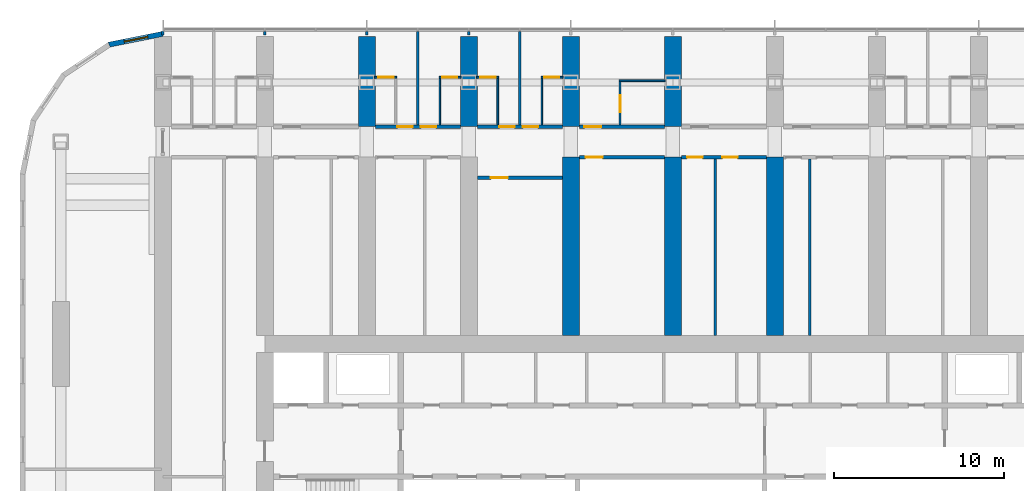
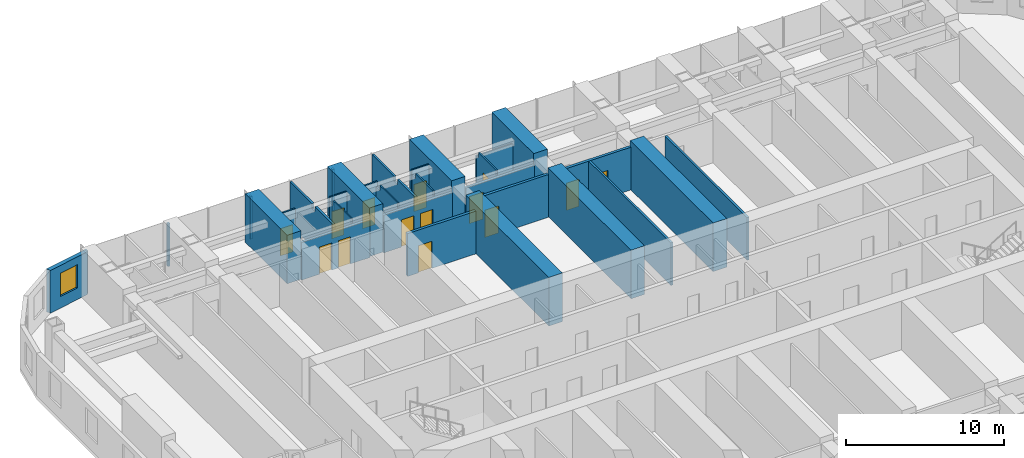
# One storey, part 15 of 23: 31 walls, 14 doors, 1 window, 15 openings.
"""IFC4 building model written with IfcOpenShell, lengths in metres."""

from ifc_helpers import new_model, si_unit, direction, frame, frame_2d, origin, place, context, subcontext, project, spatial, polyline, rectangle, outline, extrude, material, layer, layer_set, type_object, element, fill, save


model = new_model("IFC4")

# Units and contexts
model_context = context("Model", 3, precision=1e-05, world=origin(), true_north=direction((0.0, 1.0)))
body_context = subcontext(model_context, "Body", "Model", "MODEL_VIEW")
ifc_project = project(units=[si_unit("LENGTHUNIT", "METRE"), si_unit("AREAUNIT", "SQUARE_METRE"), si_unit("VOLUMEUNIT", "CUBIC_METRE"), si_unit("PLANEANGLEUNIT", "RADIAN"), si_unit("MASSUNIT", "GRAM", prefix="KILO")], contexts=[model_context])

# Site, building, storey
site_placement = place(None, origin())
site = spatial("IfcSite", under=ifc_project, at=site_placement, CompositionType="ELEMENT")
building_placement = place(site_placement, origin())
building = spatial("IfcBuilding", under=site, at=building_placement, Name="Orbita Commons", CompositionType="ELEMENT")
storey_placement = place(building_placement, frame((0.0, 0.0, 50.199951171875)))
storey = spatial("IfcBuildingStorey", under=building, at=storey_placement, Name="L12", CompositionType="ELEMENT", Elevation=50.199951171875)

# Wall, openings, doors
ifc_material_1 = material(Name="Concrete blockwork", Category="masonry")
ifc_layer_1 = layer(ifc_material_1, 0.199951171875)
ifc_layer_set_1 = layer_set([ifc_layer_1], Name="Concrete blockwork")
wall_type_1 = type_object("IfcWallType", Name="Corridor wall 200 blockwork", PredefinedType="SOLIDWALL", material=ifc_layer_set_1)
wall_1_placement = place(storey_placement, frame((24.5, 51.0, 0.0), z_axis=(0.0, 0.0, 1.0), x_axis=(1.0, 0.0, 0.0)))
wall_1 = element("IfcWall", 1, at=wall_1_placement, inside=storey, type_object=wall_type_1, Name="Corridor wall 200 blockwork L12", PredefinedType="SOLIDWALL", context=body_context, shape_type="SweptSolid", body=[
    extrude(outline(polyline([(0.0, 0.0), (5.0, 0.0), (5.0, 2.900146484375), (0.0, 2.900146484375), (0.0, 0.0)])), frame((0.0, 0.10009765625, 0.0), z_axis=(0.0, -1.0, 0.0), x_axis=(1.0, 0.0, 0.0)), (0.0, 0.0, 1.0), 0.199951171875),
])
opening_1_placement = place(wall_1_placement, frame((1.300048828125, 0.0, 0.0)))
opening_1 = element("IfcOpeningElement", 2, at=opening_1_placement, cuts=wall_1, Name="Opening D11", PredefinedType="OPENING", context=body_context, shape_type="SweptSolid", body=[
    extrude(rectangle(XDim=0.89990234375, YDim=2.10009765625, at=frame_2d((0.449951171875, 1.050048828125))), frame((0.0, 0.10986328125, 0.0), z_axis=(0.0, -1.0, 0.0), x_axis=(1.0, 0.0, 0.0)), (0.0, 0.0, 1.0), 0.219970703125),
])
opening_2_placement = place(wall_1_placement, frame((2.675048828125, 0.0, 0.0)))
opening_2 = element("IfcOpeningElement", 3, at=opening_2_placement, cuts=wall_1, Name="Opening D11", PredefinedType="OPENING", context=body_context, shape_type="SweptSolid", body=[
    extrude(rectangle(XDim=0.89990234375, YDim=2.10009765625, at=frame_2d((0.449951171875, 1.050048828125))), frame((0.0, 0.10986328125, 0.0), z_axis=(0.0, -1.0, 0.0), x_axis=(1.0, 0.0, 0.0)), (0.0, 0.0, 1.0), 0.219970703125),
])
ifc_material_2 = material(Name="Steel-faced fire door leaf", Category="steel")
door_type_1 = type_object("IfcDoorType", Name="Corridor door 20 min 900x2100", OperationType="SINGLE_SWING_LEFT", PredefinedType="DOOR", material=ifc_material_2)
door_1_placement = place(opening_1_placement, origin())
door_1 = element("IfcDoor", 4, at=door_1_placement, inside=storey, type_object=door_type_1, Name="House bedroom L12-N04 door", OperationType="SINGLE_SWING_LEFT", OverallHeight=2.10009765625, OverallWidth=0.89990234375, PredefinedType="DOOR", context=body_context, shape_type="SweptSolid", body=[
    extrude(rectangle(XDim=0.89990234375, YDim=2.10009765625, at=frame_2d((0.449951171875, 1.050048828125))), frame((0.0, 0.02490234375, 0.0), z_axis=(0.0, -1.0, 0.0), x_axis=(1.0, 0.0, 0.0)), (0.0, 0.0, 1.0), 0.050048828125),
])
fill(opening_1, door_1)
door_2_placement = place(opening_2_placement, origin())
door_2 = element("IfcDoor", 5, at=door_2_placement, inside=storey, type_object=door_type_1, Name="House bedroom L12-N05 door", OperationType="SINGLE_SWING_LEFT", OverallHeight=2.10009765625, OverallWidth=0.89990234375, PredefinedType="DOOR", context=body_context, shape_type="SweptSolid", body=[
    extrude(rectangle(XDim=0.89990234375, YDim=2.10009765625, at=frame_2d((0.449951171875, 1.050048828125))), frame((0.0, 0.02490234375, 0.0), z_axis=(0.0, -1.0, 0.0), x_axis=(1.0, 0.0, 0.0)), (0.0, 0.0, 1.0), 0.050048828125),
])
fill(opening_2, door_2)

wall_2_placement = place(storey_placement, frame((30.5, 51.0, 0.0), z_axis=(0.0, 0.0, 1.0), x_axis=(1.0, 0.0, 0.0)))
wall_2 = element("IfcWall", 6, at=wall_2_placement, inside=storey, type_object=wall_type_1, Name="Corridor wall 200 blockwork L12", PredefinedType="SOLIDWALL", context=body_context, shape_type="SweptSolid", body=[
    extrude(outline(polyline([(0.0, 0.0), (5.0, 0.0), (5.0, 2.900146484375), (0.0, 2.900146484375), (0.0, 0.0)])), frame((0.0, 0.10009765625, 0.0), z_axis=(0.0, -1.0, 0.0), x_axis=(1.0, 0.0, 0.0)), (0.0, 0.0, 1.0), 0.199951171875),
])
opening_3_placement = place(wall_2_placement, frame((1.300048828125, 0.0, 0.0)))
opening_3 = element("IfcOpeningElement", 7, at=opening_3_placement, cuts=wall_2, Name="Opening D11", PredefinedType="OPENING", context=body_context, shape_type="SweptSolid", body=[
    extrude(rectangle(XDim=0.89990234375, YDim=2.10009765625, at=frame_2d((0.449951171875, 1.050048828125))), frame((0.0, 0.10986328125, 0.0), z_axis=(0.0, -1.0, 0.0), x_axis=(1.0, 0.0, 0.0)), (0.0, 0.0, 1.0), 0.219970703125),
])
opening_4_placement = place(wall_2_placement, frame((2.675048828125, 0.0, 0.0)))
opening_4 = element("IfcOpeningElement", 8, at=opening_4_placement, cuts=wall_2, Name="Opening D11", PredefinedType="OPENING", context=body_context, shape_type="SweptSolid", body=[
    extrude(rectangle(XDim=0.89990234375, YDim=2.10009765625, at=frame_2d((0.449951171875, 1.050048828125))), frame((0.0, 0.10986328125, 0.0), z_axis=(0.0, -1.0, 0.0), x_axis=(1.0, 0.0, 0.0)), (0.0, 0.0, 1.0), 0.219970703125),
])
door_3_placement = place(opening_3_placement, origin())
door_3 = element("IfcDoor", 9, at=door_3_placement, inside=storey, type_object=door_type_1, Name="House bedroom L12-N06 door", OperationType="SINGLE_SWING_LEFT", OverallHeight=2.10009765625, OverallWidth=0.89990234375, PredefinedType="DOOR", context=body_context, shape_type="SweptSolid", body=[
    extrude(rectangle(XDim=0.89990234375, YDim=2.10009765625, at=frame_2d((0.449951171875, 1.050048828125))), frame((0.0, 0.02490234375, 0.0), z_axis=(0.0, -1.0, 0.0), x_axis=(1.0, 0.0, 0.0)), (0.0, 0.0, 1.0), 0.050048828125),
])
fill(opening_3, door_3)
door_4_placement = place(opening_4_placement, origin())
door_4 = element("IfcDoor", 10, at=door_4_placement, inside=storey, type_object=door_type_1, Name="House bedroom L12-N07 door", OperationType="SINGLE_SWING_LEFT", OverallHeight=2.10009765625, OverallWidth=0.89990234375, PredefinedType="DOOR", context=body_context, shape_type="SweptSolid", body=[
    extrude(rectangle(XDim=0.89990234375, YDim=2.10009765625, at=frame_2d((0.449951171875, 1.050048828125))), frame((0.0, 0.02490234375, 0.0), z_axis=(0.0, -1.0, 0.0), x_axis=(1.0, 0.0, 0.0)), (0.0, 0.0, 1.0), 0.050048828125),
])
fill(opening_4, door_4)

# Wall, opening, door
wall_3_placement = place(storey_placement, frame((36.5, 51.0, 0.0), z_axis=(0.0, 0.0, 1.0), x_axis=(1.0, 0.0, 0.0)))
wall_3 = element("IfcWall", 11, at=wall_3_placement, inside=storey, type_object=wall_type_1, Name="Corridor wall 200 blockwork L12", PredefinedType="SOLIDWALL", context=body_context, shape_type="SweptSolid", body=[
    extrude(outline(polyline([(0.0, 0.0), (5.0, 0.0), (5.0, 2.900146484375), (0.0, 2.900146484375), (0.0, 0.0)])), frame((0.0, 0.10009765625, 0.0), z_axis=(0.0, -1.0, 0.0), x_axis=(1.0, 0.0, 0.0)), (0.0, 0.0, 1.0), 0.199951171875),
])
opening_5_placement = place(wall_3_placement, frame((0.300048828125, 0.0, 0.0)))
opening_5 = element("IfcOpeningElement", 12, at=opening_5_placement, cuts=wall_3, Name="Opening D06", PredefinedType="OPENING", context=body_context, shape_type="SweptSolid", body=[
    extrude(rectangle(XDim=1.0, YDim=2.10009765625, at=frame_2d((0.5, 1.050048828125))), frame((0.0, 0.10986328125, 0.0), z_axis=(0.0, -1.0, 0.0), x_axis=(1.0, 0.0, 0.0)), (0.0, 0.0, 1.0), 0.219970703125),
])
ifc_material_3 = material(Name="Steel-faced fire door leaf", Category="steel")
door_type_2 = type_object("IfcDoorType", Name="Corridor door 20 min 1000x2100", OperationType="SINGLE_SWING_LEFT", PredefinedType="DOOR", material=ifc_material_3)
door_5_placement = place(opening_5_placement, origin())
door_5 = element("IfcDoor", 13, at=door_5_placement, inside=storey, type_object=door_type_2, Name="Accessible bedroom L12-N08 door", OperationType="SINGLE_SWING_LEFT", OverallHeight=2.10009765625, OverallWidth=1.0, PredefinedType="DOOR", context=body_context, shape_type="SweptSolid", body=[
    extrude(rectangle(XDim=1.0, YDim=2.10009765625, at=frame_2d((0.5, 1.050048828125))), frame((0.0, 0.02490234375, 0.0), z_axis=(0.0, -1.0, 0.0), x_axis=(1.0, 0.0, 0.0)), (0.0, 0.0, 1.0), 0.050048828125),
])
fill(opening_5, door_5)

ifc_material_4 = material(Name="Hollow concrete block 200", Category="concrete")
ifc_layer_2 = layer(ifc_material_4, 0.199951171875)
ifc_layer_set_2 = layer_set([ifc_layer_2], Name="Hollow concrete block 200")
wall_type_2 = type_object("IfcWallType", Name="Corridor wall 200 hollow concrete block", PredefinedType="SOLIDWALL", material=ifc_layer_set_2)
wall_4_placement = place(storey_placement, frame((36.5, 49.199951171875, 0.0), z_axis=(0.0, 0.0, 1.0), x_axis=(1.0, 0.0, 0.0)))
wall_4 = element("IfcWall", 14, at=wall_4_placement, inside=storey, type_object=wall_type_2, Name="Corridor wall 200 hollow concrete block L12", PredefinedType="SOLIDWALL", context=body_context, shape_type="SweptSolid", body=[
    extrude(rectangle(XDim=5.0, YDim=0.199951171875, at=frame_2d((2.5, 0.0))), origin(), (0.0, 0.0, 1.0), 3.300048828125),
])
opening_6_placement = place(wall_4_placement, frame((0.375, 0.0, 0.0)))
opening_6 = element("IfcOpeningElement", 15, at=opening_6_placement, cuts=wall_4, Name="Opening D06", PredefinedType="OPENING", context=body_context, shape_type="SweptSolid", body=[
    extrude(rectangle(XDim=1.0, YDim=2.10009765625, at=frame_2d((0.5, 1.050048828125))), frame((0.0, 0.10986328125, 0.0), z_axis=(0.0, -1.0, 0.0), x_axis=(1.0, 0.0, 0.0)), (0.0, 0.0, 1.0), 0.219970703125),
])
door_6_placement = place(opening_6_placement, origin())
door_6 = element("IfcDoor", 16, at=door_6_placement, inside=storey, type_object=door_type_2, Name="Store L12-BDN36 door", OperationType="SINGLE_SWING_LEFT", OverallHeight=2.10009765625, OverallWidth=1.0, PredefinedType="DOOR", context=body_context, shape_type="SweptSolid", body=[
    extrude(rectangle(XDim=1.0, YDim=2.10009765625, at=frame_2d((0.5, 1.050048828125))), frame((0.0, 0.02490234375, 0.0), z_axis=(0.0, -1.0, 0.0), x_axis=(1.0, 0.0, 0.0)), (0.0, 0.0, 1.0), 0.050048828125),
])
fill(opening_6, door_6)

# Wall, openings, doors
wall_5_placement = place(storey_placement, frame((42.5, 49.199951171875, 0.0), z_axis=(0.0, 0.0, 1.0), x_axis=(1.0, 0.0, 0.0)))
wall_5 = element("IfcWall", 17, at=wall_5_placement, inside=storey, type_object=wall_type_2, Name="Corridor wall 200 hollow concrete block L12", PredefinedType="SOLIDWALL", context=body_context, shape_type="SweptSolid", body=[
    extrude(rectangle(XDim=5.0, YDim=0.199951171875, at=frame_2d((2.5, 0.0))), origin(), (0.0, 0.0, 1.0), 3.300048828125),
])
opening_7_placement = place(wall_5_placement, frame((0.35009765625, 0.0, 0.0)))
opening_7 = element("IfcOpeningElement", 18, at=opening_7_placement, cuts=wall_5, Name="Opening D11", PredefinedType="OPENING", context=body_context, shape_type="SweptSolid", body=[
    extrude(rectangle(XDim=0.89990234375, YDim=2.10009765625, at=frame_2d((0.449951171875, 1.050048828125))), frame((0.0, 0.10986328125, 0.0), z_axis=(0.0, -1.0, 0.0), x_axis=(1.0, 0.0, 0.0)), (0.0, 0.0, 1.0), 0.219970703125),
])
opening_8_placement = place(wall_5_placement, frame((2.4150390625, 0.0, 0.0)))
opening_8 = element("IfcOpeningElement", 19, at=opening_8_placement, cuts=wall_5, Name="Opening D11", PredefinedType="OPENING", context=body_context, shape_type="SweptSolid", body=[
    extrude(rectangle(XDim=0.89990234375, YDim=2.10009765625, at=frame_2d((0.449951171875, 1.050048828125))), frame((0.0, 0.10986328125, 0.0), z_axis=(0.0, -1.0, 0.0), x_axis=(1.0, 0.0, 0.0)), (0.0, 0.0, 1.0), 0.219970703125),
])
door_7_placement = place(opening_7_placement, origin())
door_7 = element("IfcDoor", 20, at=door_7_placement, inside=storey, type_object=door_type_1, Name="Sprinkler valve room L12-BDN42n door", OperationType="SINGLE_SWING_LEFT", OverallHeight=2.10009765625, OverallWidth=0.89990234375, PredefinedType="DOOR", context=body_context, shape_type="SweptSolid", body=[
    extrude(rectangle(XDim=0.89990234375, YDim=2.10009765625, at=frame_2d((0.449951171875, 1.050048828125))), frame((0.0, 0.02490234375, 0.0), z_axis=(0.0, -1.0, 0.0), x_axis=(1.0, 0.0, 0.0)), (0.0, 0.0, 1.0), 0.050048828125),
])
fill(opening_7, door_7)
door_8_placement = place(opening_8_placement, origin())
door_8 = element("IfcDoor", 21, at=door_8_placement, inside=storey, type_object=door_type_1, Name="Refuse and recycling room L12-BDN42 door", OperationType="SINGLE_SWING_LEFT", OverallHeight=2.10009765625, OverallWidth=0.89990234375, PredefinedType="DOOR", context=body_context, shape_type="SweptSolid", body=[
    extrude(rectangle(XDim=0.89990234375, YDim=2.10009765625, at=frame_2d((0.449951171875, 1.050048828125))), frame((0.0, 0.02490234375, 0.0), z_axis=(0.0, -1.0, 0.0), x_axis=(1.0, 0.0, 0.0)), (0.0, 0.0, 1.0), 0.050048828125),
])
fill(opening_8, door_8)

# Wall, opening, door
wall_6_placement = place(storey_placement, frame((30.5, 48.0, 0.0), z_axis=(0.0, 0.0, 1.0), x_axis=(1.0, 0.0, 0.0)))
wall_6 = element("IfcWall", 22, at=wall_6_placement, inside=storey, type_object=wall_type_2, Name="Corridor wall 200 hollow concrete block L12", PredefinedType="SOLIDWALL", context=body_context, shape_type="SweptSolid", body=[
    extrude(rectangle(XDim=5.0, YDim=0.199951171875, at=frame_2d((2.5, 0.0))), origin(), (0.0, 0.0, 1.0), 3.300048828125),
])
opening_9_placement = place(wall_6_placement, frame((0.800048828125, 0.0, 0.0)))
opening_9 = element("IfcOpeningElement", 23, at=opening_9_placement, cuts=wall_6, Name="Opening D06", PredefinedType="OPENING", context=body_context, shape_type="SweptSolid", body=[
    extrude(rectangle(XDim=1.0, YDim=2.10009765625, at=frame_2d((0.5, 1.050048828125))), frame((0.0, 0.10986328125, 0.0), z_axis=(0.0, -1.0, 0.0), x_axis=(1.0, 0.0, 0.0)), (0.0, 0.0, 1.0), 0.219970703125),
])
door_9_placement = place(opening_9_placement, origin())
door_9 = element("IfcDoor", 24, at=door_9_placement, inside=storey, type_object=door_type_2, Name="Bulk and luggage store L12-BDN30 door", OperationType="SINGLE_SWING_LEFT", OverallHeight=2.10009765625, OverallWidth=1.0, PredefinedType="DOOR", context=body_context, shape_type="SweptSolid", body=[
    extrude(rectangle(XDim=1.0, YDim=2.10009765625, at=frame_2d((0.5, 1.050048828125))), frame((0.0, 0.02490234375, 0.0), z_axis=(0.0, -1.0, 0.0), x_axis=(1.0, 0.0, 0.0)), (0.0, 0.0, 1.0), 0.050048828125),
])
fill(opening_9, door_9)

# Walls
ifc_material_5 = material(Name="Concrete C50/60", Category="concrete")
ifc_layer_3 = layer(ifc_material_5, 1.0)
ifc_layer_set_3 = layer_set([ifc_layer_3], Name="Concrete C50/60")
wall_type_3 = type_object("IfcWallType", Name="Cross wall 1000 C50/60", PredefinedType="SHEAR", material=ifc_layer_set_3)
for number, where, z_axis, x_axis, name in (
    (25, (24.0, 51.0, 0.0), (0.0, 0.0, 1.0), (0.0, 1.0, 0.0), "Cross wall 5 north outer L12"),
    (26, (30.0, 51.0, 0.0), (0.0, 0.0, 1.0), (0.0, 1.0, 0.0), "Cross wall 6 north outer L12"),
    (27, (36.0, 51.0, 0.0), (0.0, 0.0, 1.0), (0.0, 1.0, 0.0), "Cross wall 7 north outer L12"),
):
    element("IfcWall", number, at=place(storey_placement, frame(where, z_axis=z_axis, x_axis=x_axis)), inside=storey, type_object=wall_type_3, Name=name, PredefinedType="SHEAR", context=body_context, shape_type="SweptSolid", body=[
        extrude(rectangle(XDim=5.300048828125, YDim=1.0, at=frame_2d((2.64990234375, 0.0))), origin(), (0.0, 0.0, 1.0), 3.75),
    ])
wall_7_placement = place(storey_placement, frame((36.0, 38.699951171875, 0.0), z_axis=(0.0, 0.0, 1.0), x_axis=(0.0, 1.0, 0.0)))
element("IfcWall", 28, at=wall_7_placement, inside=storey, type_object=wall_type_3, Name="Cross wall 7 north inner L12", PredefinedType="SHEAR", context=body_context, shape_type="SweptSolid", body=[
    extrude(rectangle(XDim=10.5, YDim=1.0, at=frame_2d((5.25, 0.0))), origin(), (0.0, 0.0, 1.0), 3.75),
])
wall_8_placement = place(storey_placement, frame((42.0, 51.0, 0.0), z_axis=(0.0, 0.0, 1.0), x_axis=(0.0, 1.0, 0.0)))
element("IfcWall", 29, at=wall_8_placement, inside=storey, type_object=wall_type_3, Name="Cross wall 8 north outer L12", PredefinedType="SHEAR", context=body_context, shape_type="SweptSolid", body=[
    extrude(rectangle(XDim=5.300048828125, YDim=1.0, at=frame_2d((2.64990234375, 0.0))), origin(), (0.0, 0.0, 1.0), 3.75),
])
for number, where, z_axis, x_axis, name in (
    (30, (42.0, 38.699951171875, 0.0), (0.0, 0.0, 1.0), (0.0, 1.0, 0.0), "Cross wall 8 north inner L12"),
    (31, (48.0, 38.699951171875, 0.0), (0.0, 0.0, 1.0), (0.0, 1.0, 0.0), "Cross wall 9 north inner L12"),
):
    element("IfcWall", number, at=place(storey_placement, frame(where, z_axis=z_axis, x_axis=x_axis)), inside=storey, type_object=wall_type_3, Name=name, PredefinedType="SHEAR", context=body_context, shape_type="SweptSolid", body=[
        extrude(rectangle(XDim=10.5, YDim=1.0, at=frame_2d((5.25, 0.0))), origin(), (0.0, 0.0, 1.0), 3.75),
    ])

# Wall, opening, door
ifc_material_6 = material(Name="Moisture-resistant plasterboard on steel studs", Category="steel")
ifc_layer_4 = layer(ifc_material_6, 0.10009765625)
ifc_layer_set_4 = layer_set([ifc_layer_4], Name="Moisture-resistant plasterboard on steel studs")
wall_type_4 = type_object("IfcWallType", Name="En-suite partition 100", PredefinedType="PARTITIONING", material=ifc_layer_set_4)
wall_9_placement = place(storey_placement, frame((24.449951171875, 53.89990234375, 0.0), z_axis=(0.0, 0.0, 1.0), x_axis=(1.0, 0.0, 0.0)))
wall_9 = element("IfcWall", 32, at=wall_9_placement, inside=storey, type_object=wall_type_4, Name="En-suite partition 100 L12", PredefinedType="PARTITIONING", context=body_context, shape_type="SweptSolid", body=[
    extrude(rectangle(XDim=1.300048828125, YDim=0.10009765625, at=frame_2d((0.64990234375, 0.0))), origin(), (0.0, 0.0, 1.0), 3.300048828125),
])
opening_10_placement = place(wall_9_placement, frame((0.22509765625, 0.0, 0.0)))
opening_10 = element("IfcOpeningElement", 33, at=opening_10_placement, cuts=wall_9, Name="Opening D09", PredefinedType="OPENING", context=body_context, shape_type="SweptSolid", body=[
    extrude(rectangle(XDim=0.89990234375, YDim=2.10009765625, at=frame_2d((0.449951171875, 1.050048828125))), frame((0.0, 0.06005859375, 0.0), z_axis=(0.0, -1.0, 0.0), x_axis=(1.0, 0.0, 0.0)), (0.0, 0.0, 1.0), 0.1201171875),
])
ifc_material_7 = material(Name="Laminated timber door leaf", Category="wood")
door_type_3 = type_object("IfcDoorType", Name="En-suite door 900x2100", OperationType="SINGLE_SWING_RIGHT", PredefinedType="DOOR", material=ifc_material_7)
door_10_placement = place(opening_10_placement, origin())
door_10 = element("IfcDoor", 34, at=door_10_placement, inside=storey, type_object=door_type_3, Name="En-suite L12-N04 door", OperationType="SINGLE_SWING_RIGHT", OverallHeight=2.10009765625, OverallWidth=0.89990234375, PredefinedType="DOOR", context=body_context, shape_type="SweptSolid", body=[
    extrude(rectangle(XDim=0.89990234375, YDim=2.10009765625, at=frame_2d((0.449951171875, 1.050048828125))), frame((0.0, 0.02490234375, 0.0), z_axis=(0.0, -1.0, 0.0), x_axis=(1.0, 0.0, 0.0)), (0.0, 0.0, 1.0), 0.050048828125),
])
fill(opening_10, door_10)

wall_10_placement = place(storey_placement, frame((28.25, 53.89990234375, 0.0), z_axis=(0.0, 0.0, 1.0), x_axis=(1.0, 0.0, 0.0)))
wall_10 = element("IfcWall", 35, at=wall_10_placement, inside=storey, type_object=wall_type_4, Name="En-suite partition 100 L12", PredefinedType="PARTITIONING", context=body_context, shape_type="SweptSolid", body=[
    extrude(rectangle(XDim=1.300048828125, YDim=0.10009765625, at=frame_2d((0.64990234375, 0.0))), origin(), (0.0, 0.0, 1.0), 3.300048828125),
])
opening_11_placement = place(wall_10_placement, frame((0.175048828125, 0.0, 0.0)))
opening_11 = element("IfcOpeningElement", 36, at=opening_11_placement, cuts=wall_10, Name="Opening D09", PredefinedType="OPENING", context=body_context, shape_type="SweptSolid", body=[
    extrude(rectangle(XDim=0.89990234375, YDim=2.10009765625, at=frame_2d((0.449951171875, 1.050048828125))), frame((0.0, 0.06005859375, 0.0), z_axis=(0.0, -1.0, 0.0), x_axis=(1.0, 0.0, 0.0)), (0.0, 0.0, 1.0), 0.1201171875),
])
door_11_placement = place(opening_11_placement, origin())
door_11 = element("IfcDoor", 37, at=door_11_placement, inside=storey, type_object=door_type_3, Name="En-suite L12-N05 door", OperationType="SINGLE_SWING_RIGHT", OverallHeight=2.10009765625, OverallWidth=0.89990234375, PredefinedType="DOOR", context=body_context, shape_type="SweptSolid", body=[
    extrude(rectangle(XDim=0.89990234375, YDim=2.10009765625, at=frame_2d((0.449951171875, 1.050048828125))), frame((0.0, 0.02490234375, 0.0), z_axis=(0.0, -1.0, 0.0), x_axis=(1.0, 0.0, 0.0)), (0.0, 0.0, 1.0), 0.050048828125),
])
fill(opening_11, door_11)

# Wall
wall_11_placement = place(storey_placement, frame((28.300048828125, 53.85009765625, 0.0), z_axis=(0.0, 0.0, 1.0), x_axis=(0.0, -1.0, 0.0)))
element("IfcWall", 38, at=wall_11_placement, inside=storey, type_object=wall_type_4, Name="En-suite partition 100 L12", PredefinedType="PARTITIONING", context=body_context, shape_type="SweptSolid", body=[
    extrude(outline(polyline([(0.0, 0.0), (2.75, 0.0), (2.75, 2.900146484375), (2.701904296875, 2.900146484375), (2.699951171875, 3.300048828125), (0.451904296875, 3.300048828125), (0.449951171875, 2.900146484375), (0.0, 2.900146484375), (0.0, 0.0)])), frame((0.0, 0.050048828125, 0.0), z_axis=(0.0, -1.0, 0.0), x_axis=(1.0, 0.0, 0.0)), (0.0, 0.0, 1.0), 0.10009765625),
])

# Wall, opening, door
wall_12_placement = place(storey_placement, frame((30.449951171875, 53.89990234375, 0.0), z_axis=(0.0, 0.0, 1.0), x_axis=(1.0, 0.0, 0.0)))
wall_12 = element("IfcWall", 39, at=wall_12_placement, inside=storey, type_object=wall_type_4, Name="En-suite partition 100 L12", PredefinedType="PARTITIONING", context=body_context, shape_type="SweptSolid", body=[
    extrude(rectangle(XDim=1.300048828125, YDim=0.10009765625, at=frame_2d((0.64990234375, 0.0))), origin(), (0.0, 0.0, 1.0), 3.300048828125),
])
opening_12_placement = place(wall_12_placement, frame((0.22509765625, 0.0, 0.0)))
opening_12 = element("IfcOpeningElement", 40, at=opening_12_placement, cuts=wall_12, Name="Opening D09", PredefinedType="OPENING", context=body_context, shape_type="SweptSolid", body=[
    extrude(rectangle(XDim=0.89990234375, YDim=2.10009765625, at=frame_2d((0.449951171875, 1.050048828125))), frame((0.0, 0.06005859375, 0.0), z_axis=(0.0, -1.0, 0.0), x_axis=(1.0, 0.0, 0.0)), (0.0, 0.0, 1.0), 0.1201171875),
])
door_12_placement = place(opening_12_placement, origin())
door_12 = element("IfcDoor", 41, at=door_12_placement, inside=storey, type_object=door_type_3, Name="En-suite L12-N06 door", OperationType="SINGLE_SWING_RIGHT", OverallHeight=2.10009765625, OverallWidth=0.89990234375, PredefinedType="DOOR", context=body_context, shape_type="SweptSolid", body=[
    extrude(rectangle(XDim=0.89990234375, YDim=2.10009765625, at=frame_2d((0.449951171875, 1.050048828125))), frame((0.0, 0.02490234375, 0.0), z_axis=(0.0, -1.0, 0.0), x_axis=(1.0, 0.0, 0.0)), (0.0, 0.0, 1.0), 0.050048828125),
])
fill(opening_12, door_12)

# Wall
wall_13_placement = place(storey_placement, frame((31.699951171875, 53.85009765625, 0.0), z_axis=(0.0, 0.0, 1.0), x_axis=(0.0, -1.0, 0.0)))
element("IfcWall", 42, at=wall_13_placement, inside=storey, type_object=wall_type_4, Name="En-suite partition 100 L12", PredefinedType="PARTITIONING", context=body_context, shape_type="SweptSolid", body=[
    extrude(outline(polyline([(0.0, 0.0), (2.75, 0.0), (2.75, 2.900146484375), (2.701904296875, 2.900146484375), (2.699951171875, 3.300048828125), (0.451904296875, 3.300048828125), (0.449951171875, 2.900146484375), (0.0, 2.900146484375), (0.0, 0.0)])), frame((0.0, 0.050048828125, 0.0), z_axis=(0.0, -1.0, 0.0), x_axis=(1.0, 0.0, 0.0)), (0.0, 0.0, 1.0), 0.10009765625),
])

# Wall, opening, door
wall_14_placement = place(storey_placement, frame((34.25, 53.89990234375, 0.0), z_axis=(0.0, 0.0, 1.0), x_axis=(1.0, 0.0, 0.0)))
wall_14 = element("IfcWall", 43, at=wall_14_placement, inside=storey, type_object=wall_type_4, Name="En-suite partition 100 L12", PredefinedType="PARTITIONING", context=body_context, shape_type="SweptSolid", body=[
    extrude(rectangle(XDim=1.300048828125, YDim=0.10009765625, at=frame_2d((0.64990234375, 0.0))), origin(), (0.0, 0.0, 1.0), 3.300048828125),
])
opening_13_placement = place(wall_14_placement, frame((0.175048828125, 0.0, 0.0)))
opening_13 = element("IfcOpeningElement", 44, at=opening_13_placement, cuts=wall_14, Name="Opening D09", PredefinedType="OPENING", context=body_context, shape_type="SweptSolid", body=[
    extrude(rectangle(XDim=0.89990234375, YDim=2.10009765625, at=frame_2d((0.449951171875, 1.050048828125))), frame((0.0, 0.06005859375, 0.0), z_axis=(0.0, -1.0, 0.0), x_axis=(1.0, 0.0, 0.0)), (0.0, 0.0, 1.0), 0.1201171875),
])
door_13_placement = place(opening_13_placement, origin())
door_13 = element("IfcDoor", 45, at=door_13_placement, inside=storey, type_object=door_type_3, Name="En-suite L12-N07 door", OperationType="SINGLE_SWING_RIGHT", OverallHeight=2.10009765625, OverallWidth=0.89990234375, PredefinedType="DOOR", context=body_context, shape_type="SweptSolid", body=[
    extrude(rectangle(XDim=0.89990234375, YDim=2.10009765625, at=frame_2d((0.449951171875, 1.050048828125))), frame((0.0, 0.02490234375, 0.0), z_axis=(0.0, -1.0, 0.0), x_axis=(1.0, 0.0, 0.0)), (0.0, 0.0, 1.0), 0.050048828125),
])
fill(opening_13, door_13)

# Walls
wall_15_placement = place(storey_placement, frame((34.300048828125, 53.85009765625, 0.0), z_axis=(0.0, 0.0, 1.0), x_axis=(0.0, -1.0, 0.0)))
element("IfcWall", 46, at=wall_15_placement, inside=storey, type_object=wall_type_4, Name="En-suite partition 100 L12", PredefinedType="PARTITIONING", context=body_context, shape_type="SweptSolid", body=[
    extrude(outline(polyline([(0.0, 0.0), (2.75, 0.0), (2.75, 2.900146484375), (2.701904296875, 2.900146484375), (2.699951171875, 3.300048828125), (0.451904296875, 3.300048828125), (0.449951171875, 2.900146484375), (0.0, 2.900146484375), (0.0, 0.0)])), frame((0.0, 0.050048828125, 0.0), z_axis=(0.0, -1.0, 0.0), x_axis=(1.0, 0.0, 0.0)), (0.0, 0.0, 1.0), 0.10009765625),
])
wall_16_placement = place(storey_placement, frame((38.85009765625, 53.699951171875, 0.0), z_axis=(0.0, 0.0, 1.0), x_axis=(1.0, 0.0, 0.0)))
element("IfcWall", 47, at=wall_16_placement, inside=storey, type_object=wall_type_4, Name="En-suite partition 100 L12", PredefinedType="PARTITIONING", context=body_context, shape_type="SweptSolid", body=[
    extrude(outline(polyline([(0.0, 0.0), (2.699951171875, 0.0), (2.699951171875, 2.900146484375), (0.0, 2.900146484375), (0.0, 0.0)])), frame((0.0, 0.050048828125, 0.0), z_axis=(0.0, -1.0, 0.0), x_axis=(1.0, 0.0, 0.0)), (0.0, 0.0, 1.0), 0.10009765625),
])

# Wall, opening, door
wall_17_placement = place(storey_placement, frame((38.89990234375, 53.64990234375, 0.0), z_axis=(0.0, 0.0, 1.0), x_axis=(0.0, -1.0, 0.0)))
wall_17 = element("IfcWall", 48, at=wall_17_placement, inside=storey, type_object=wall_type_4, Name="En-suite partition 100 L12", PredefinedType="PARTITIONING", context=body_context, shape_type="SweptSolid", body=[
    extrude(outline(polyline([(0.0, 0.0), (2.5498046875, 0.0), (2.550048828125, 2.900146484375), (2.501953125, 2.900146484375), (2.5, 3.300048828125), (0.251953125, 3.300048828125), (0.25, 2.900146484375), (0.0, 2.900146484375), (0.0, 0.0)])), frame((0.0, 0.050048828125, 0.0), z_axis=(0.0, -1.0, 0.0), x_axis=(1.0, 0.0, 0.0)), (0.0, 0.0, 1.0), 0.10009765625),
])
opening_14_placement = place(wall_17_placement, frame((0.800048828125, 0.0, 0.0)))
opening_14 = element("IfcOpeningElement", 49, at=opening_14_placement, cuts=wall_17, Name="Opening D13", PredefinedType="OPENING", context=body_context, shape_type="SweptSolid", body=[
    extrude(rectangle(XDim=1.0, YDim=2.10009765625, at=frame_2d((0.5, 1.050048828125))), frame((0.0, 0.06005859375, 0.0), z_axis=(0.0, -1.0, 0.0), x_axis=(1.0, 0.0, 0.0)), (0.0, 0.0, 1.0), 0.1201171875),
])
ifc_material_8 = material(Name="Laminated timber door leaf", Category="wood")
door_type_4 = type_object("IfcDoorType", Name="En-suite door 1000x2100", OperationType="SINGLE_SWING_RIGHT", PredefinedType="DOOR", material=ifc_material_8)
door_14_placement = place(opening_14_placement, origin())
door_14 = element("IfcDoor", 50, at=door_14_placement, inside=storey, type_object=door_type_4, Name="Accessible shower room L12-N08 door", OperationType="SINGLE_SWING_RIGHT", OverallHeight=2.10009765625, OverallWidth=1.0, PredefinedType="DOOR", context=body_context, shape_type="SweptSolid", body=[
    extrude(rectangle(XDim=1.0, YDim=2.10009765625, at=frame_2d((0.5, 1.050048828125))), frame((0.0, 0.02490234375, 0.0), z_axis=(0.0, -1.0, 0.0), x_axis=(1.0, 0.0, 0.0)), (0.0, 0.0, 1.0), 0.050048828125),
])
fill(opening_14, door_14)

# Walls
ifc_material_9 = material(Name="Gypsum plasterboard on steel studs", Category="steel")
ifc_layer_5 = layer(ifc_material_9, 0.14990234375)
ifc_layer_set_5 = layer_set([ifc_layer_5], Name="Gypsum plasterboard on steel studs")
wall_type_5 = type_object("IfcWallType", Name="Partition 150 plasterboard", PredefinedType="PARTITIONING", material=ifc_layer_set_5)
for number, where, z_axis, x_axis, name in (
    (51, (44.489990234375, 38.699951171875, 0.0), (0.0, 0.0, 1.0), (0.0, 1.0, 0.0), "Partition 150 plasterboard L12"),
    (52, (50.054931640625, 38.699951171875, 0.0), (0.0, 0.0, 1.0), (0.0, 1.0, 0.0), "Partition 150 plasterboard L12"),
):
    element("IfcWall", number, at=place(storey_placement, frame(where, z_axis=z_axis, x_axis=x_axis)), inside=storey, type_object=wall_type_5, Name=name, PredefinedType="PARTITIONING", context=body_context, shape_type="SweptSolid", body=[
        extrude(rectangle(XDim=10.400146484375, YDim=0.14990234375, at=frame_2d((5.2001953125, 0.0))), origin(), (0.0, 0.0, 1.0), 3.300048828125),
    ])
wall_18_placement = place(storey_placement, frame((12.0, 56.39990234375, 0.0), z_axis=(0.0, 0.0, 1.0), x_axis=(0.0, 1.0, 0.0)))
element("IfcWall", 53, at=wall_18_placement, inside=storey, type_object=wall_type_5, Name="Partition 150 plasterboard L12", PredefinedType="PARTITIONING", context=body_context, shape_type="SweptSolid", body=[
    extrude(rectangle(XDim=0.22021484375, YDim=0.14990234375, at=frame_2d((0.110107421875, 0.0))), origin(), (0.0, 0.0, 1.0), 3.300048828125),
])
for number, where, z_axis, x_axis, name in (
    (54, (18.0, 56.39990234375, 0.0), (0.0, 0.0, 1.0), (0.0, 1.0, 0.0), "Partition 150 plasterboard L12"),
    (55, (24.0, 56.39990234375, 0.0), (0.0, 0.0, 1.0), (0.0, 1.0, 0.0), "Partition 150 plasterboard L12"),
    (56, (30.0, 56.39990234375, 0.0), (0.0, 0.0, 1.0), (0.0, 1.0, 0.0), "Partition 150 plasterboard L12"),
):
    element("IfcWall", number, at=place(storey_placement, frame(where, z_axis=z_axis, x_axis=x_axis)), inside=storey, type_object=wall_type_5, Name=name, PredefinedType="PARTITIONING", context=body_context, shape_type="SweptSolid", body=[
        extrude(rectangle(XDim=0.190185546875, YDim=0.14990234375, at=frame_2d((0.09521484375, 0.0))), origin(), (0.0, 0.0, 1.0), 3.300048828125),
    ])
ifc_material_10 = material(Name="Gypsum plasterboard on steel studs", Category="steel")
ifc_layer_6 = layer(ifc_material_10, 0.14990234375)
ifc_layer_set_6 = layer_set([ifc_layer_6], Name="Gypsum plasterboard on steel studs")
wall_type_6 = type_object("IfcWallType", Name="Party wall 150 plasterboard", PredefinedType="PARTITIONING", material=ifc_layer_set_6)
for number, where, z_axis, x_axis, name in (
    (57, (27.0, 56.590087890625, 0.0), (0.0, 0.0, 1.0), (0.0, -1.0, 0.0), "Party wall 150 plasterboard L12"),
    (58, (33.0, 56.590087890625, 0.0), (0.0, 0.0, 1.0), (0.0, -1.0, 0.0), "Party wall 150 plasterboard L12"),
):
    element("IfcWall", number, at=place(storey_placement, frame(where, z_axis=z_axis, x_axis=x_axis)), inside=storey, type_object=wall_type_6, Name=name, PredefinedType="PARTITIONING", context=body_context, shape_type="SweptSolid", body=[
        extrude(outline(polyline([(0.0, 0.0), (5.489990234375, 0.0), (5.489990234375, 2.900146484375), (5.44189453125, 2.900146484375), (5.43994140625, 3.300048828125), (3.19189453125, 3.300048828125), (3.18994140625, 2.900146484375), (2.7919921875, 2.900146484375), (2.7900390625, 3.300048828125), (0.0, 3.300048828125), (0.0, 0.0)])), frame((0.0, 0.074951171875, 0.0), z_axis=(0.0, -1.0, 0.0), x_axis=(1.0, 0.0, 0.0)), (0.0, 0.0, 1.0), 0.14990234375),
    ])

# Wall, opening, window
ifc_material_11 = material(Name="Precast concrete C40/50, white board-marked finish", Category="concrete")
ifc_layer_7 = layer(ifc_material_11, 0.300048828125)
ifc_layer_set_7 = layer_set([ifc_layer_7], Name="Precast concrete C40/50, white board-marked finish")
wall_type_7 = type_object("IfcWallType", Name="Precast concrete end shield 300", PredefinedType="SOLIDWALL", material=ifc_layer_set_7)
wall_19_placement = place(storey_placement, frame((12.0, 56.449951171875, 0.0), z_axis=(0.0, 0.0, 1.0), x_axis=(-0.980787251524, -0.195080412259, 0.0)))
wall_19 = element("IfcWall", 59, at=wall_19_placement, inside=storey, type_object=wall_type_7, Name="End shield NW chord 1 L12", PredefinedType="SOLIDWALL", context=body_context, shape_type="SweptSolid", body=[
    extrude(outline(polyline([(-0.02978515625, -0.14990234375), (3.24853515625, -0.14990234375), (3.18896484375, 0.14990234375), (0.02978515625, 0.14990234375), (-0.02978515625, -0.14990234375)])), origin(), (0.0, 0.0, 1.0), 3.300048828125),
])
opening_15_placement = place(wall_19_placement, frame((0.909423828125, 0.0, 0.89990234375)))
opening_15 = element("IfcOpeningElement", 60, at=opening_15_placement, cuts=wall_19, Name="Opening W02", PredefinedType="OPENING", context=body_context, shape_type="SweptSolid", body=[
    extrude(rectangle(XDim=1.39990234375, YDim=1.800048828125, at=frame_2d((0.699951171875, 0.89990234375))), frame((0.0, 0.159912109375, 0.0), z_axis=(0.0, -1.0, 0.0), x_axis=(1.0, 0.0, 0.0)), (0.0, 0.0, 1.0), 0.320068359375),
])
ifc_material_12 = material(Name="Aluminium frame, clear double glazing", Category="aluminium")
window_type = type_object("IfcWindowType", Name="Deep-set window 1400x1800", PartitioningType="SINGLE_PANEL", PredefinedType="WINDOW", material=ifc_material_12)
window_placement = place(opening_15_placement, origin())
window = element("IfcWindow", 61, at=window_placement, inside=storey, type_object=window_type, Name="Window L12-NW0", OverallHeight=1.800048828125, OverallWidth=1.39990234375, PartitioningType="SINGLE_PANEL", PredefinedType="WINDOW", context=body_context, shape_type="SweptSolid", body=[
    extrude(rectangle(XDim=1.39990234375, YDim=1.800048828125, at=frame_2d((0.699951171875, 0.89990234375))), frame((0.0, 0.030029296875, 0.0), z_axis=(0.0, -1.0, 0.0), x_axis=(1.0, 0.0, 0.0)), (0.0, 0.0, 1.0), 0.06005859375),
])
fill(opening_15, window)

save(model, "model.ifc")
